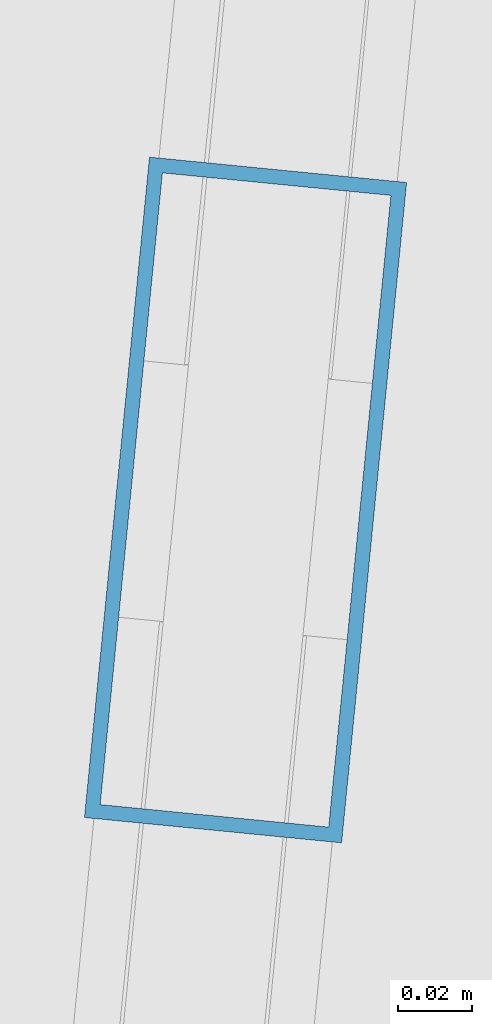
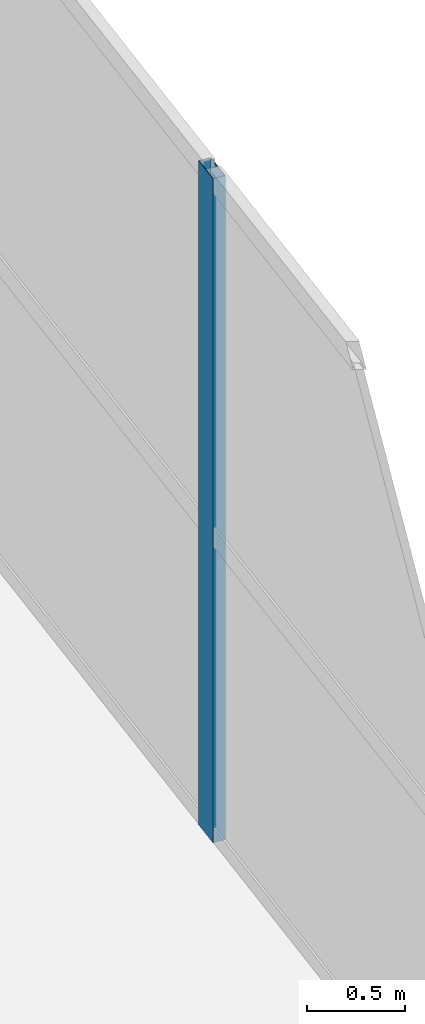
# One storey, part 17 of 66: 1 member, 1 element without a shape of its own.
"""IFC4 building model written with IfcOpenShell, lengths in metres."""

from ifc_helpers import new_model, si_unit, direction, frame, origin, origin_2d, place, context, subcontext, project, spatial, hollow_rectangle, extrude, material, layer, layer_set, material_profile, profile_set, type_object, element, aggregate, save


model = new_model("IFC4")

# Units and contexts
model_context = context("Model", 3, precision=1e-05, world=origin(), true_north=direction((0.0, 1.0)))
body_context = subcontext(model_context, "Body", "Model", "MODEL_VIEW")
ifc_project = project(units=[si_unit("LENGTHUNIT", "METRE"), si_unit("AREAUNIT", "SQUARE_METRE"), si_unit("VOLUMEUNIT", "CUBIC_METRE"), si_unit("PLANEANGLEUNIT", "RADIAN"), si_unit("MASSUNIT", "GRAM", prefix="KILO")], contexts=[model_context])

# Site, building, storey
site_placement = place(None, origin())
site = spatial("IfcSite", under=ifc_project, at=site_placement, CompositionType="ELEMENT")
building_placement = place(site_placement, origin())
building = spatial("IfcBuilding", under=site, at=building_placement, Name="Sillaruma Civic Art Gallery", CompositionType="ELEMENT")
storey_placement = place(building_placement, frame((0.0, 0.0, 57.1201171875)))
storey = spatial("IfcBuildingStorey", under=building, at=storey_placement, Name="L11", CompositionType="ELEMENT", Elevation=57.1201171875)

# Curtain wall, member
ifc_material = material(Name="Thermally Broken Extruded Aluminium 6063-T6", Category="aluminium")
ifc_layer = layer(ifc_material, 0.179931640625, Name="Thermally Broken Extruded Aluminium 6063-T6")
ifc_layer_set = layer_set([ifc_layer], Name="Thermally Broken Extruded Aluminium 6063-T6")
curtain_wall_type = type_object("IfcCurtainWallType", Name="CW-UNI-88", PredefinedType="NOTDEFINED", material=ifc_layer_set)
curtain_wall_placement = place(storey_placement, origin())
curtain_wall = element("IfcCurtainWall", 1, at=curtain_wall_placement, inside=storey, type_object=curtain_wall_type, Name="Unitised Curtain Wall CW-88 (CW-PRW-L11-E-ANG)", PredefinedType="NOTDEFINED")
ifc_material_profile = material_profile(ifc_material, hollow_rectangle(XDim=0.070068359375, YDim=0.179931640625, WallThickness=0.00390625, at=origin_2d()), Name="CWM70x180")
ifc_profile_set = profile_set([ifc_material_profile], Name="Thermally Broken Extruded Aluminium 6063-T6")
member_type = type_object("IfcMemberType", Name="MEM-MUL-CWM70x180", PredefinedType="MULLION", material=ifc_profile_set)
member_placement = place(storey_placement, frame((116.949951171875, 36.300048828125, 0.0), z_axis=(0.0, 0.0, 1.0), x_axis=(-0.99518536297, 0.098010679679, 0.0)))
member = element("IfcMember", 2, at=member_placement, type_object=member_type, Name="CW-88 mullion 2", PredefinedType="MULLION", context=body_context, shape_type="SweptSolid", body=[
    extrude(hollow_rectangle(XDim=0.070068359375, YDim=0.179931640625, WallThickness=0.00390625, at=origin_2d()), origin(), (0.0, 0.0, 1.0), 4.119873046875),
])
aggregate(curtain_wall, [member])

save(model, "model.ifc")
